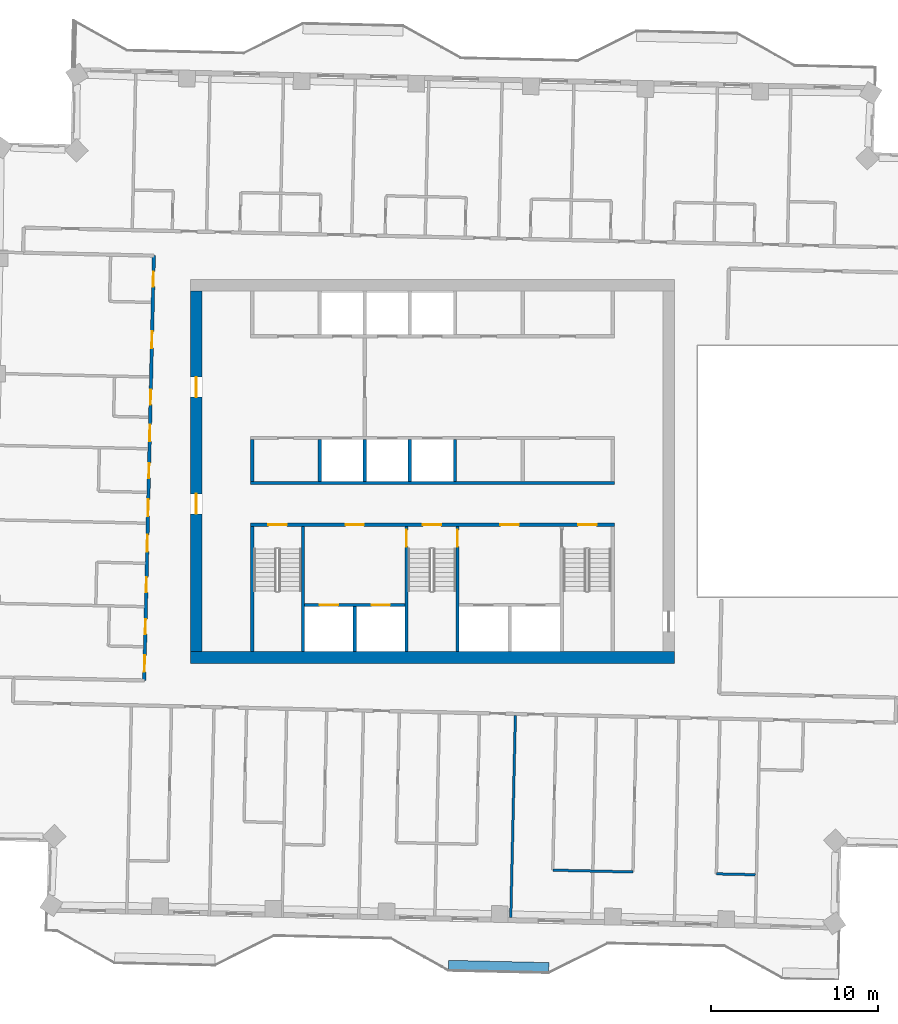
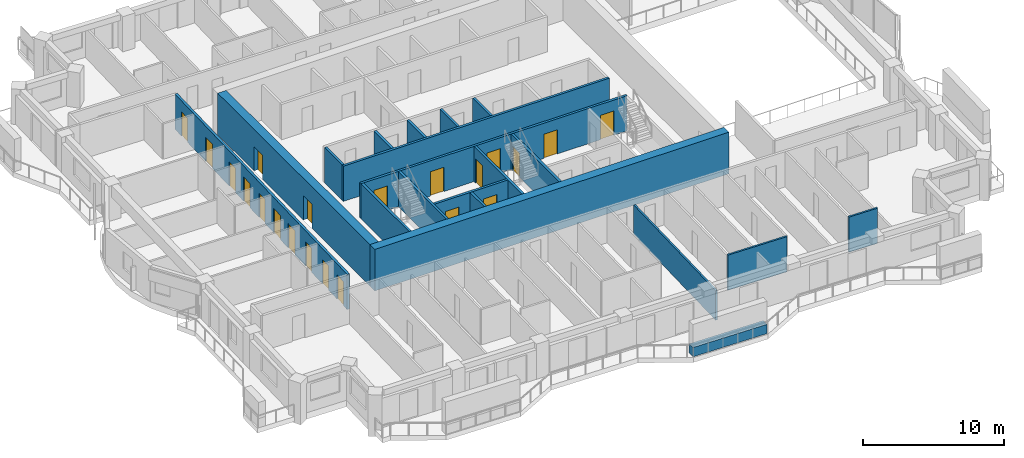
# One storey, part 8 of 17: 21 doors, 20 walls, 21 openings.
"""IFC4 building model written with IfcOpenShell, lengths in metres."""

from ifc_helpers import new_model, si_unit, direction, frame, frame_2d, origin, place, context, subcontext, project, spatial, rectangle, extrude, material, layer, layer_set, type_object, element, fill, save


model = new_model("IFC4")

# Units and contexts
model_context = context("Model", 3, precision=1e-05, world=origin(), true_north=direction((0.0, 1.0)))
body_context = subcontext(model_context, "Body", "Model", "MODEL_VIEW")
ifc_project = project(units=[si_unit("LENGTHUNIT", "METRE"), si_unit("AREAUNIT", "SQUARE_METRE"), si_unit("VOLUMEUNIT", "CUBIC_METRE"), si_unit("PLANEANGLEUNIT", "RADIAN"), si_unit("MASSUNIT", "GRAM", prefix="KILO")], contexts=[model_context])

# Site, building, storey
site_placement = place(None, origin())
site = spatial("IfcSite", under=ifc_project, at=site_placement, CompositionType="ELEMENT")
building_placement = place(site_placement, origin())
building = spatial("IfcBuilding", under=site, at=building_placement, Name="Mangrove Gate Tower", CompositionType="ELEMENT")
storey_placement = place(building_placement, frame((0.0, 0.0, 271.699951171875)))
storey = spatial("IfcBuildingStorey", under=building, at=storey_placement, Name="L69", CompositionType="ELEMENT", Elevation=271.699951171875)

# Walls
ifc_material_1 = material(Name="Concrete C32/40", Category="concrete")
ifc_layer_1 = layer(ifc_material_1, 0.199951171875)
ifc_layer_set_1 = layer_set([ifc_layer_1], Name="Core room wall 200 C32/40")
wall_type_1 = type_object("IfcWallType", Name="Core room wall 200 C32/40", PredefinedType="STANDARD", material=ifc_layer_set_1)
wall_1_placement = place(storey_placement, frame((-10.800048828125, -0.60009765625, 0.0), z_axis=(0.0, 0.0, 1.0), x_axis=(0.0, 1.0, 0.0)))
element("IfcWall", 1, at=wall_1_placement, inside=storey, type_object=wall_type_1, Name="WALL-L69-CORE-19", PredefinedType="STANDARD", context=body_context, shape_type="SweptSolid", body=[
    extrude(rectangle(XDim=2.5, YDim=0.199951171875, at=frame_2d((1.25, 0.0))), origin(), (0.0, 0.0, 1.0), 3.050048828125),
])
ifc_material_2 = material(Name="Concrete C50/60", Category="concrete")
ifc_layer_2 = layer(ifc_material_2, 0.199951171875)
ifc_layer_set_2 = layer_set([ifc_layer_2], Name="Core shaft wall 200 C50/60")
wall_type_2 = type_object("IfcWallType", Name="Core shaft wall 200 C50/60", PredefinedType="SHEAR", material=ifc_layer_set_2)
wall_2_placement = place(storey_placement, frame((-10.89990234375, -0.699951171875, 0.0), z_axis=(0.0, 0.0, 1.0), x_axis=(1.0, 0.0, 0.0)))
element("IfcWall", 2, at=wall_2_placement, inside=storey, type_object=wall_type_2, Name="WALL-L69-CORE-6", PredefinedType="SHEAR", context=body_context, shape_type="SweptSolid", body=[
    extrude(rectangle(XDim=21.7998046875, YDim=0.199951171875, at=frame_2d((10.89990234375, 0.0))), origin(), (0.0, 0.0, 1.0), 3.050048828125),
])

# Wall, openings, doors
wall_3_placement = place(storey_placement, frame((-7.64990234375, -8.0, 0.0), z_axis=(0.0, 0.0, 1.0), x_axis=(1.0, 0.0, 0.0)))
wall_3 = element("IfcWall", 3, at=wall_3_placement, inside=storey, type_object=wall_type_2, Name="WALL-L69-CORE-15", PredefinedType="SHEAR", context=body_context, shape_type="SweptSolid", body=[
    extrude(rectangle(XDim=6.0, YDim=0.199951171875, at=frame_2d((3.0, 0.0))), origin(), (0.0, 0.0, 1.0), 3.050048828125),
])
opening_1_placement = place(wall_3_placement, frame((0.89990234375, 0.0, 0.0)))
opening_1 = element("IfcOpeningElement", 4, at=opening_1_placement, cuts=wall_3, Name="Opening LD", PredefinedType="OPENING", context=body_context, shape_type="SweptSolid", body=[
    extrude(rectangle(XDim=1.10009765625, YDim=2.10009765625, at=frame_2d((0.550048828125, 1.050048828125))), frame((0.0, 0.10986328125, 0.0), z_axis=(0.0, -1.0, 0.0), x_axis=(1.0, 0.0, 0.0)), (0.0, 0.0, 1.0), 0.219970703125),
])
opening_2_placement = place(wall_3_placement, frame((4.0, 0.0, 0.0)))
opening_2 = element("IfcOpeningElement", 5, at=opening_2_placement, cuts=wall_3, Name="Opening LD", PredefinedType="OPENING", context=body_context, shape_type="SweptSolid", body=[
    extrude(rectangle(XDim=1.10009765625, YDim=2.10009765625, at=frame_2d((0.550048828125, 1.050048828125))), frame((0.0, 0.10986328125, 0.0), z_axis=(0.0, -1.0, 0.0), x_axis=(1.0, 0.0, 0.0)), (0.0, 0.0, 1.0), 0.219970703125),
])
ifc_material_3 = material(Name="Stainless steel 316", Category="steel")
door_type_1 = type_object("IfcDoorType", Name="Lift landing door 1100x2100", OperationType="SLIDING_TO_LEFT", PredefinedType="DOOR", material=ifc_material_3)
door_1_placement = place(opening_1_placement, origin())
door_1 = element("IfcDoor", 6, at=door_1_placement, inside=storey, type_object=door_type_1, Name="Landing door LD SVL1", OperationType="SLIDING_TO_LEFT", OverallHeight=2.10009765625, OverallWidth=1.10009765625, PredefinedType="DOOR", context=body_context, shape_type="SweptSolid", body=[
    extrude(rectangle(XDim=1.10009765625, YDim=2.10009765625, at=frame_2d((0.550048828125, 1.050048828125))), frame((0.0, 0.02490234375, 0.0), z_axis=(0.0, -1.0, 0.0), x_axis=(1.0, 0.0, 0.0)), (0.0, 0.0, 1.0), 0.050048828125),
])
fill(opening_1, door_1)
door_2_placement = place(opening_2_placement, origin())
door_2 = element("IfcDoor", 7, at=door_2_placement, inside=storey, type_object=door_type_1, Name="Landing door LD SVL2", OperationType="SLIDING_TO_LEFT", OverallHeight=2.10009765625, OverallWidth=1.10009765625, PredefinedType="DOOR", context=body_context, shape_type="SweptSolid", body=[
    extrude(rectangle(XDim=1.10009765625, YDim=2.10009765625, at=frame_2d((0.550048828125, 1.050048828125))), frame((0.0, 0.02490234375, 0.0), z_axis=(0.0, -1.0, 0.0), x_axis=(1.0, 0.0, 0.0)), (0.0, 0.0, 1.0), 0.050048828125),
])
fill(opening_2, door_2)

# Walls
wall_4_placement = place(storey_placement, frame((-4.64990234375, -10.800048828125, 0.0), z_axis=(0.0, 0.0, 1.0), x_axis=(0.0, 1.0, 0.0)))
element("IfcWall", 8, at=wall_4_placement, inside=storey, type_object=wall_type_2, Name="WALL-L69-CORE-16", PredefinedType="SHEAR", context=body_context, shape_type="SweptSolid", body=[
    extrude(rectangle(XDim=2.699951171875, YDim=0.199951171875, at=frame_2d((1.35009765625, 0.0))), origin(), (0.0, 0.0, 1.0), 3.050048828125),
])
for number, where, z_axis, x_axis, name in (
    (9, (-6.75, -0.60009765625, 0.0), (0.0, 0.0, 1.0), (0.0, 1.0, 0.0), "WALL-L69-CORE-20"),
    (10, (-4.050048828125, -0.60009765625, 0.0), (0.0, 0.0, 1.0), (0.0, 1.0, 0.0), "WALL-L69-CORE-21"),
    (11, (-1.35009765625, -0.60009765625, 0.0), (0.0, 0.0, 1.0), (0.0, 1.0, 0.0), "WALL-L69-CORE-22"),
    (12, (1.35009765625, -0.60009765625, 0.0), (0.0, 0.0, 1.0), (0.0, 1.0, 0.0), "WALL-L69-CORE-23"),
):
    element("IfcWall", number, at=place(storey_placement, frame(where, z_axis=z_axis, x_axis=x_axis)), inside=storey, type_object=wall_type_2, Name=name, PredefinedType="SHEAR", context=body_context, shape_type="SweptSolid", body=[
        extrude(rectangle(XDim=2.5, YDim=0.199951171875, at=frame_2d((1.25, 0.0))), origin(), (0.0, 0.0, 1.0), 3.050048828125),
    ])

# Wall, openings, doors
ifc_material_4 = material(Name="Concrete C50/60", Category="concrete")
ifc_layer_3 = layer(ifc_material_4, 0.199951171875)
ifc_layer_set_3 = layer_set([ifc_layer_3], Name="Core stair wall 200 C50/60")
wall_type_3 = type_object("IfcWallType", Name="Core stair wall 200 C50/60", PredefinedType="SHEAR", material=ifc_layer_set_3)
wall_5_placement = place(storey_placement, frame((-10.89990234375, -3.199951171875, 0.0), z_axis=(0.0, 0.0, 1.0), x_axis=(1.0, 0.0, 0.0)))
wall_5 = element("IfcWall", 13, at=wall_5_placement, inside=storey, type_object=wall_type_3, Name="WALL-L69-CORE-5", PredefinedType="SHEAR", context=body_context, shape_type="SweptSolid", body=[
    extrude(rectangle(XDim=21.7998046875, YDim=0.199951171875, at=frame_2d((10.89990234375, 0.0))), origin(), (0.0, 0.0, 1.0), 3.050048828125),
])
opening_3_placement = place(wall_5_placement, frame((1.074951171875, 0.0, 0.0)))
opening_3 = element("IfcOpeningElement", 14, at=opening_3_placement, cuts=wall_5, Name="Opening STD11", PredefinedType="OPENING", context=body_context, shape_type="SweptSolid", body=[
    extrude(rectangle(XDim=1.10009765625, YDim=2.10009765625, at=frame_2d((0.550048828125, 1.050048828125))), frame((0.0, 0.10986328125, 0.0), z_axis=(0.0, -1.0, 0.0), x_axis=(1.0, 0.0, 0.0)), (0.0, 0.0, 1.0), 0.219970703125),
])
opening_4_placement = place(wall_5_placement, frame((10.324951171875, 0.0, 0.0)))
opening_4 = element("IfcOpeningElement", 15, at=opening_4_placement, cuts=wall_5, Name="Opening STD11", PredefinedType="OPENING", context=body_context, shape_type="SweptSolid", body=[
    extrude(rectangle(XDim=1.10009765625, YDim=2.10009765625, at=frame_2d((0.550048828125, 1.050048828125))), frame((0.0, 0.10986328125, 0.0), z_axis=(0.0, -1.0, 0.0), x_axis=(1.0, 0.0, 0.0)), (0.0, 0.0, 1.0), 0.219970703125),
])
opening_5_placement = place(wall_5_placement, frame((19.625, 0.0, 0.0)))
opening_5 = element("IfcOpeningElement", 16, at=opening_5_placement, cuts=wall_5, Name="Opening STD11", PredefinedType="OPENING", context=body_context, shape_type="SweptSolid", body=[
    extrude(rectangle(XDim=1.10009765625, YDim=2.10009765625, at=frame_2d((0.550048828125, 1.050048828125))), frame((0.0, 0.10986328125, 0.0), z_axis=(0.0, -1.0, 0.0), x_axis=(1.0, 0.0, 0.0)), (0.0, 0.0, 1.0), 0.219970703125),
])
opening_6_placement = place(wall_5_placement, frame((5.699951171875, 0.0, 0.0)))
opening_6 = element("IfcOpeningElement", 17, at=opening_6_placement, cuts=wall_5, Name="Opening FL", PredefinedType="OPENING", context=body_context, shape_type="SweptSolid", body=[
    extrude(rectangle(XDim=1.10009765625, YDim=2.10009765625, at=frame_2d((0.550048828125, 1.050048828125))), frame((0.0, 0.10986328125, 0.0), z_axis=(0.0, -1.0, 0.0), x_axis=(1.0, 0.0, 0.0)), (0.0, 0.0, 1.0), 0.219970703125),
])
opening_7_placement = place(wall_5_placement, frame((14.97509765625, 0.0, 0.0)))
opening_7 = element("IfcOpeningElement", 18, at=opening_7_placement, cuts=wall_5, Name="Opening FL", PredefinedType="OPENING", context=body_context, shape_type="SweptSolid", body=[
    extrude(rectangle(XDim=1.10009765625, YDim=2.10009765625, at=frame_2d((0.550048828125, 1.050048828125))), frame((0.0, 0.10986328125, 0.0), z_axis=(0.0, -1.0, 0.0), x_axis=(1.0, 0.0, 0.0)), (0.0, 0.0, 1.0), 0.219970703125),
])
ifc_material_5 = material(Name="Fire-rated steel door set", Category="steel")
door_type_2 = type_object("IfcDoorType", Name="Lobby door FD60 1100x2100", OperationType="SINGLE_SWING_LEFT", PredefinedType="DOOR", material=ifc_material_5)
door_3_placement = place(opening_6_placement, origin())
door_3 = element("IfcDoor", 19, at=door_3_placement, inside=storey, type_object=door_type_2, Name="Lobby door service lobby", OperationType="SINGLE_SWING_LEFT", OverallHeight=2.10009765625, OverallWidth=1.10009765625, PredefinedType="DOOR", context=body_context, shape_type="SweptSolid", body=[
    extrude(rectangle(XDim=1.10009765625, YDim=2.10009765625, at=frame_2d((0.550048828125, 1.050048828125))), frame((0.0, 0.02490234375, 0.0), z_axis=(0.0, -1.0, 0.0), x_axis=(1.0, 0.0, 0.0)), (0.0, 0.0, 1.0), 0.050048828125),
])
fill(opening_6, door_3)
door_4_placement = place(opening_7_placement, origin())
door_4 = element("IfcDoor", 20, at=door_4_placement, inside=storey, type_object=door_type_2, Name="Lobby door fire-fighting lobby", OperationType="SINGLE_SWING_LEFT", OverallHeight=2.10009765625, OverallWidth=1.10009765625, PredefinedType="DOOR", context=body_context, shape_type="SweptSolid", body=[
    extrude(rectangle(XDim=1.10009765625, YDim=2.10009765625, at=frame_2d((0.550048828125, 1.050048828125))), frame((0.0, 0.02490234375, 0.0), z_axis=(0.0, -1.0, 0.0), x_axis=(1.0, 0.0, 0.0)), (0.0, 0.0, 1.0), 0.050048828125),
])
fill(opening_7, door_4)
ifc_material_6 = material(Name="Fire-rated steel door set", Category="steel")
door_type_3 = type_object("IfcDoorType", Name="Stair door FD60 1100x2100", OperationType="SINGLE_SWING_RIGHT", PredefinedType="DOOR", material=ifc_material_6)
door_5_placement = place(opening_3_placement, origin())
door_5 = element("IfcDoor", 21, at=door_5_placement, inside=storey, type_object=door_type_3, Name="Stair door Stair 1", OperationType="SINGLE_SWING_RIGHT", OverallHeight=2.10009765625, OverallWidth=1.10009765625, PredefinedType="DOOR", context=body_context, shape_type="SweptSolid", body=[
    extrude(rectangle(XDim=1.10009765625, YDim=2.10009765625, at=frame_2d((0.550048828125, 1.050048828125))), frame((0.0, 0.02490234375, 0.0), z_axis=(0.0, -1.0, 0.0), x_axis=(1.0, 0.0, 0.0)), (0.0, 0.0, 1.0), 0.050048828125),
])
fill(opening_3, door_5)
door_6_placement = place(opening_4_placement, origin())
door_6 = element("IfcDoor", 22, at=door_6_placement, inside=storey, type_object=door_type_3, Name="Stair door Stair 2", OperationType="SINGLE_SWING_RIGHT", OverallHeight=2.10009765625, OverallWidth=1.10009765625, PredefinedType="DOOR", context=body_context, shape_type="SweptSolid", body=[
    extrude(rectangle(XDim=1.10009765625, YDim=2.10009765625, at=frame_2d((0.550048828125, 1.050048828125))), frame((0.0, 0.02490234375, 0.0), z_axis=(0.0, -1.0, 0.0), x_axis=(1.0, 0.0, 0.0)), (0.0, 0.0, 1.0), 0.050048828125),
])
fill(opening_4, door_6)
door_7_placement = place(opening_5_placement, origin())
door_7 = element("IfcDoor", 23, at=door_7_placement, inside=storey, type_object=door_type_3, Name="Stair door Stair 3", OperationType="SINGLE_SWING_RIGHT", OverallHeight=2.10009765625, OverallWidth=1.10009765625, PredefinedType="DOOR", context=body_context, shape_type="SweptSolid", body=[
    extrude(rectangle(XDim=1.10009765625, YDim=2.10009765625, at=frame_2d((0.550048828125, 1.050048828125))), frame((0.0, 0.02490234375, 0.0), z_axis=(0.0, -1.0, 0.0), x_axis=(1.0, 0.0, 0.0)), (0.0, 0.0, 1.0), 0.050048828125),
])
fill(opening_5, door_7)

# Walls
for number, where, z_axis, x_axis, name in (
    (24, (-10.800048828125, -10.800048828125, 0.0), (0.0, 0.0, 1.0), (0.0, 1.0, 0.0), "WALL-L69-CORE-9"),
    (25, (-7.75, -10.800048828125, 0.0), (0.0, 0.0, 1.0), (0.0, 1.0, 0.0), "WALL-L69-CORE-10"),
):
    element("IfcWall", number, at=place(storey_placement, frame(where, z_axis=z_axis, x_axis=x_axis)), inside=storey, type_object=wall_type_3, Name=name, PredefinedType="SHEAR", context=body_context, shape_type="SweptSolid", body=[
        extrude(rectangle(XDim=7.5, YDim=0.199951171875, at=frame_2d((3.75, 0.0))), origin(), (0.0, 0.0, 1.0), 3.050048828125),
    ])

# Wall, opening, door
wall_6_placement = place(storey_placement, frame((-1.550048828125, -10.800048828125, 0.0), z_axis=(0.0, 0.0, 1.0), x_axis=(0.0, 1.0, 0.0)))
wall_6 = element("IfcWall", 26, at=wall_6_placement, inside=storey, type_object=wall_type_3, Name="WALL-L69-CORE-11", PredefinedType="SHEAR", context=body_context, shape_type="SweptSolid", body=[
    extrude(rectangle(XDim=7.5, YDim=0.199951171875, at=frame_2d((3.75, 0.0))), origin(), (0.0, 0.0, 1.0), 3.050048828125),
])
opening_8_placement = place(wall_6_placement, frame((6.300048828125, 0.0, 0.0)))
opening_8 = element("IfcOpeningElement", 27, at=opening_8_placement, cuts=wall_6, Name="Opening STD10", PredefinedType="OPENING", context=body_context, shape_type="SweptSolid", body=[
    extrude(rectangle(XDim=1.0, YDim=2.10009765625, at=frame_2d((0.5, 1.050048828125))), frame((0.0, 0.10986328125, 0.0), z_axis=(0.0, -1.0, 0.0), x_axis=(1.0, 0.0, 0.0)), (0.0, 0.0, 1.0), 0.219970703125),
])
ifc_material_7 = material(Name="Fire-rated steel door set", Category="steel")
door_type_4 = type_object("IfcDoorType", Name="Stair door FD60 1000x2100", OperationType="SINGLE_SWING_RIGHT", PredefinedType="DOOR", material=ifc_material_7)
door_8_placement = place(opening_8_placement, origin())
door_8 = element("IfcDoor", 28, at=door_8_placement, inside=storey, type_object=door_type_4, Name="Stair door Stair 2 from service lobby", OperationType="SINGLE_SWING_RIGHT", OverallHeight=2.10009765625, OverallWidth=1.0, PredefinedType="DOOR", context=body_context, shape_type="SweptSolid", body=[
    extrude(rectangle(XDim=1.0, YDim=2.10009765625, at=frame_2d((0.5, 1.050048828125))), frame((0.0, 0.02490234375, 0.0), z_axis=(0.0, -1.0, 0.0), x_axis=(1.0, 0.0, 0.0)), (0.0, 0.0, 1.0), 0.050048828125),
])
fill(opening_8, door_8)

wall_7_placement = place(storey_placement, frame((1.5, -10.800048828125, 0.0), z_axis=(0.0, 0.0, 1.0), x_axis=(0.0, 1.0, 0.0)))
wall_7 = element("IfcWall", 29, at=wall_7_placement, inside=storey, type_object=wall_type_3, Name="WALL-L69-CORE-12", PredefinedType="SHEAR", context=body_context, shape_type="SweptSolid", body=[
    extrude(rectangle(XDim=7.5, YDim=0.199951171875, at=frame_2d((3.75, 0.0))), origin(), (0.0, 0.0, 1.0), 3.050048828125),
])
opening_9_placement = place(wall_7_placement, frame((6.300048828125, 0.0, 0.0)))
opening_9 = element("IfcOpeningElement", 30, at=opening_9_placement, cuts=wall_7, Name="Opening STD10", PredefinedType="OPENING", context=body_context, shape_type="SweptSolid", body=[
    extrude(rectangle(XDim=1.0, YDim=2.10009765625, at=frame_2d((0.5, 1.050048828125))), frame((0.0, 0.10986328125, 0.0), z_axis=(0.0, -1.0, 0.0), x_axis=(1.0, 0.0, 0.0)), (0.0, 0.0, 1.0), 0.219970703125),
])
door_9_placement = place(opening_9_placement, origin())
door_9 = element("IfcDoor", 31, at=door_9_placement, inside=storey, type_object=door_type_4, Name="Stair door Stair 2 from fire-fighting lobby", OperationType="SINGLE_SWING_RIGHT", OverallHeight=2.10009765625, OverallWidth=1.0, PredefinedType="DOOR", context=body_context, shape_type="SweptSolid", body=[
    extrude(rectangle(XDim=1.0, YDim=2.10009765625, at=frame_2d((0.5, 1.050048828125))), frame((0.0, 0.02490234375, 0.0), z_axis=(0.0, -1.0, 0.0), x_axis=(1.0, 0.0, 0.0)), (0.0, 0.0, 1.0), 0.050048828125),
])
fill(opening_9, door_9)

# Wall
ifc_material_8 = material(Name="Concrete C50/60", Category="concrete")
ifc_layer_4 = layer(ifc_material_8, 0.699951171875)
ifc_layer_set_4 = layer_set([ifc_layer_4], Name="Core wall 700 C50/60")
wall_type_4 = type_object("IfcWallType", Name="Core wall 700 C50/60", PredefinedType="SHEAR", material=ifc_layer_set_4)
wall_8_placement = place(storey_placement, frame((-14.5, -11.14990234375, 0.0), z_axis=(0.0, 0.0, 1.0), x_axis=(1.0, 0.0, 0.0)))
element("IfcWall", 32, at=wall_8_placement, inside=storey, type_object=wall_type_4, Name="WALL-L69-CORE-1", PredefinedType="SHEAR", context=body_context, shape_type="SweptSolid", body=[
    extrude(rectangle(XDim=29.0, YDim=0.699951171875, at=frame_2d((14.5, 0.0))), origin(), (0.0, 0.0, 1.0), 3.60009765625),
])

# Wall, openings, doors
wall_9_placement = place(storey_placement, frame((-14.14990234375, -10.800048828125, 0.0), z_axis=(0.0, 0.0, 1.0), x_axis=(0.0, 1.0, 0.0)))
wall_9 = element("IfcWall", 33, at=wall_9_placement, inside=storey, type_object=wall_type_4, Name="WALL-L69-CORE-3", PredefinedType="SHEAR", context=body_context, shape_type="SweptSolid", body=[
    extrude(rectangle(XDim=21.60009765625, YDim=0.699951171875, at=frame_2d((10.800048828125, 0.0))), origin(), (0.0, 0.0, 1.0), 3.60009765625),
])
opening_10_placement = place(wall_9_placement, frame((8.25, 0.0, 0.0)))
opening_10 = element("IfcOpeningElement", 34, at=opening_10_placement, cuts=wall_9, Name="Opening CD", PredefinedType="OPENING", context=body_context, shape_type="SweptSolid", body=[
    extrude(rectangle(XDim=1.199951171875, YDim=2.10009765625, at=frame_2d((0.60009765625, 1.050048828125))), frame((0.0, 0.35986328125, 0.0), z_axis=(0.0, -1.0, 0.0), x_axis=(1.0, 0.0, 0.0)), (0.0, 0.0, 1.0), 0.719970703125),
])
opening_11_placement = place(wall_9_placement, frame((15.25, 0.0, 0.0)))
opening_11 = element("IfcOpeningElement", 35, at=opening_11_placement, cuts=wall_9, Name="Opening CD", PredefinedType="OPENING", context=body_context, shape_type="SweptSolid", body=[
    extrude(rectangle(XDim=1.199951171875, YDim=2.10009765625, at=frame_2d((0.60009765625, 1.050048828125))), frame((0.0, 0.35986328125, 0.0), z_axis=(0.0, -1.0, 0.0), x_axis=(1.0, 0.0, 0.0)), (0.0, 0.0, 1.0), 0.719970703125),
])
ifc_material_9 = material(Name="Fire-rated steel door set", Category="steel")
door_type_5 = type_object("IfcDoorType", Name="Core ring door FD60 1200x2100", OperationType="DOUBLE_DOOR_SINGLE_SWING", PredefinedType="DOOR", material=ifc_material_9)
door_10_placement = place(opening_10_placement, origin())
door_10 = element("IfcDoor", 36, at=door_10_placement, inside=storey, type_object=door_type_5, Name="Core ring door W1", OperationType="DOUBLE_DOOR_SINGLE_SWING", OverallHeight=2.10009765625, OverallWidth=1.199951171875, PredefinedType="DOOR", context=body_context, shape_type="SweptSolid", body=[
    extrude(rectangle(XDim=1.199951171875, YDim=2.10009765625, at=frame_2d((0.60009765625, 1.050048828125))), frame((0.0, 0.02490234375, 0.0), z_axis=(0.0, -1.0, 0.0), x_axis=(1.0, 0.0, 0.0)), (0.0, 0.0, 1.0), 0.050048828125),
])
fill(opening_10, door_10)
door_11_placement = place(opening_11_placement, origin())
door_11 = element("IfcDoor", 37, at=door_11_placement, inside=storey, type_object=door_type_5, Name="Core ring door W2", OperationType="DOUBLE_DOOR_SINGLE_SWING", OverallHeight=2.10009765625, OverallWidth=1.199951171875, PredefinedType="DOOR", context=body_context, shape_type="SweptSolid", body=[
    extrude(rectangle(XDim=1.199951171875, YDim=2.10009765625, at=frame_2d((0.60009765625, 1.050048828125))), frame((0.0, 0.02490234375, 0.0), z_axis=(0.0, -1.0, 0.0), x_axis=(1.0, 0.0, 0.0)), (0.0, 0.0, 1.0), 0.050048828125),
])
fill(opening_11, door_11)

ifc_material_10 = material(Name="Gypsum board on steel stud, EI 60", Category="steel")
ifc_layer_5 = layer(ifc_material_10, 0.199951171875)
ifc_layer_set_5 = layer_set([ifc_layer_5], Name="Corridor wall EI 60")
wall_type_5 = type_object("IfcWallType", Name="Corridor wall EI 60", PredefinedType="PARTITIONING", material=ifc_layer_set_5)
wall_10_placement = place(storey_placement, frame((-17.261962890625, -12.52490234375, 0.0), z_axis=(0.0, 0.0, 1.0), x_axis=(0.022706151961, 0.999742182097, 0.0)))
wall_10 = element("IfcWall", 38, at=wall_10_placement, inside=storey, type_object=wall_type_5, Name="WALL-L69-031", PredefinedType="PARTITIONING", context=body_context, shape_type="SweptSolid", body=[
    extrude(rectangle(XDim=25.450439453125, YDim=0.199951171875, at=frame_2d((12.72509765625, 0.0))), origin(), (0.0, 0.0, 1.0), 3.050048828125),
])
opening_12_placement = place(wall_10_placement, frame((19.9130859375, 0.0, 0.0)))
opening_12 = element("IfcOpeningElement", 39, at=opening_12_placement, cuts=wall_10, Name="Opening AD", PredefinedType="OPENING", context=body_context, shape_type="SweptSolid", body=[
    extrude(rectangle(XDim=1.0, YDim=2.10009765625, at=frame_2d((0.5, 1.050048828125))), frame((0.0, 0.10986328125, 0.0), z_axis=(0.0, -1.0, 0.0), x_axis=(1.0, 0.0, 0.0)), (0.0, 0.0, 1.0), 0.219970703125),
])
opening_13_placement = place(wall_10_placement, frame((23.60009765625, 0.0, 0.0)))
opening_13 = element("IfcOpeningElement", 40, at=opening_13_placement, cuts=wall_10, Name="Opening SD", PredefinedType="OPENING", context=body_context, shape_type="SweptSolid", body=[
    extrude(rectangle(XDim=0.89990234375, YDim=2.10009765625, at=frame_2d((0.449951171875, 1.050048828125))), frame((0.0, 0.10986328125, 0.0), z_axis=(0.0, -1.0, 0.0), x_axis=(1.0, 0.0, 0.0)), (0.0, 0.0, 1.0), 0.219970703125),
])
opening_14_placement = place(wall_10_placement, frame((14.324951171875, 0.0, 0.0)))
opening_14 = element("IfcOpeningElement", 41, at=opening_14_placement, cuts=wall_10, Name="Opening AD", PredefinedType="OPENING", context=body_context, shape_type="SweptSolid", body=[
    extrude(rectangle(XDim=1.0, YDim=2.10009765625, at=frame_2d((0.5, 1.050048828125))), frame((0.0, 0.10986328125, 0.0), z_axis=(0.0, -1.0, 0.0), x_axis=(1.0, 0.0, 0.0)), (0.0, 0.0, 1.0), 0.219970703125),
])
opening_15_placement = place(wall_10_placement, frame((16.52490234375, 0.0, 0.0)))
opening_15 = element("IfcOpeningElement", 42, at=opening_15_placement, cuts=wall_10, Name="Opening SD", PredefinedType="OPENING", context=body_context, shape_type="SweptSolid", body=[
    extrude(rectangle(XDim=0.89990234375, YDim=2.10009765625, at=frame_2d((0.449951171875, 1.050048828125))), frame((0.0, 0.10986328125, 0.0), z_axis=(0.0, -1.0, 0.0), x_axis=(1.0, 0.0, 0.0)), (0.0, 0.0, 1.0), 0.219970703125),
])
opening_16_placement = place(wall_10_placement, frame((9.85009765625, 0.0, 0.0)))
opening_16 = element("IfcOpeningElement", 43, at=opening_16_placement, cuts=wall_10, Name="Opening AD", PredefinedType="OPENING", context=body_context, shape_type="SweptSolid", body=[
    extrude(rectangle(XDim=1.0, YDim=2.10009765625, at=frame_2d((0.5, 1.050048828125))), frame((0.0, 0.10986328125, 0.0), z_axis=(0.0, -1.0, 0.0), x_axis=(1.0, 0.0, 0.0)), (0.0, 0.0, 1.0), 0.219970703125),
])
opening_17_placement = place(wall_10_placement, frame((12.125, 0.0, 0.0)))
opening_17 = element("IfcOpeningElement", 44, at=opening_17_placement, cuts=wall_10, Name="Opening SD", PredefinedType="OPENING", context=body_context, shape_type="SweptSolid", body=[
    extrude(rectangle(XDim=0.89990234375, YDim=2.10009765625, at=frame_2d((0.449951171875, 1.050048828125))), frame((0.0, 0.10986328125, 0.0), z_axis=(0.0, -1.0, 0.0), x_axis=(1.0, 0.0, 0.0)), (0.0, 0.0, 1.0), 0.219970703125),
])
opening_18_placement = place(wall_10_placement, frame((7.72509765625, 0.0, 0.0)))
opening_18 = element("IfcOpeningElement", 45, at=opening_18_placement, cuts=wall_10, Name="Opening AD", PredefinedType="OPENING", context=body_context, shape_type="SweptSolid", body=[
    extrude(rectangle(XDim=1.0, YDim=2.10009765625, at=frame_2d((0.5, 1.050048828125))), frame((0.0, 0.10986328125, 0.0), z_axis=(0.0, -1.0, 0.0), x_axis=(1.0, 0.0, 0.0)), (0.0, 0.0, 1.0), 0.219970703125),
])
opening_19_placement = place(wall_10_placement, frame((5.27490234375, 0.0, 0.0)))
opening_19 = element("IfcOpeningElement", 46, at=opening_19_placement, cuts=wall_10, Name="Opening SD", PredefinedType="OPENING", context=body_context, shape_type="SweptSolid", body=[
    extrude(rectangle(XDim=0.89990234375, YDim=2.10009765625, at=frame_2d((0.449951171875, 1.050048828125))), frame((0.0, 0.10986328125, 0.0), z_axis=(0.0, -1.0, 0.0), x_axis=(1.0, 0.0, 0.0)), (0.0, 0.0, 1.0), 0.219970703125),
])
opening_20_placement = place(wall_10_placement, frame((0.511962890625, 0.0, 0.0)))
opening_20 = element("IfcOpeningElement", 47, at=opening_20_placement, cuts=wall_10, Name="Opening AD", PredefinedType="OPENING", context=body_context, shape_type="SweptSolid", body=[
    extrude(rectangle(XDim=1.0, YDim=2.10009765625, at=frame_2d((0.5, 1.050048828125))), frame((0.0, 0.10986328125, 0.0), z_axis=(0.0, -1.0, 0.0), x_axis=(1.0, 0.0, 0.0)), (0.0, 0.0, 1.0), 0.219970703125),
])
opening_21_placement = place(wall_10_placement, frame((2.77490234375, 0.0, 0.0)))
opening_21 = element("IfcOpeningElement", 48, at=opening_21_placement, cuts=wall_10, Name="Opening SD", PredefinedType="OPENING", context=body_context, shape_type="SweptSolid", body=[
    extrude(rectangle(XDim=0.89990234375, YDim=2.10009765625, at=frame_2d((0.449951171875, 1.050048828125))), frame((0.0, 0.10986328125, 0.0), z_axis=(0.0, -1.0, 0.0), x_axis=(1.0, 0.0, 0.0)), (0.0, 0.0, 1.0), 0.219970703125),
])
ifc_material_11 = material(Name="Timber door leaf", Category="wood")
door_type_6 = type_object("IfcDoorType", Name="Amenity door 1000", OperationType="SINGLE_SWING_LEFT", PredefinedType="DOOR", material=ifc_material_11)
door_12_placement = place(opening_12_placement, origin())
door_12 = element("IfcDoor", 49, at=door_12_placement, inside=storey, type_object=door_type_6, Name="DOOR-L69-LNG-c5a", OperationType="SINGLE_SWING_LEFT", OverallHeight=2.10009765625, OverallWidth=1.0, PredefinedType="DOOR", context=body_context, shape_type="SweptSolid", body=[
    extrude(rectangle(XDim=1.0, YDim=2.10009765625, at=frame_2d((0.5, 1.050048828125))), frame((0.0, 0.02490234375, 0.0), z_axis=(0.0, -1.0, 0.0), x_axis=(1.0, 0.0, 0.0)), (0.0, 0.0, 1.0), 0.050048828125),
])
fill(opening_12, door_12)
door_13_placement = place(opening_14_placement, origin())
door_13 = element("IfcDoor", 50, at=door_13_placement, inside=storey, type_object=door_type_6, Name="DOOR-L69-KIT-c5b", OperationType="SINGLE_SWING_RIGHT", OverallHeight=2.10009765625, OverallWidth=1.0, PredefinedType="DOOR", context=body_context, shape_type="SweptSolid", body=[
    extrude(rectangle(XDim=1.0, YDim=2.10009765625, at=frame_2d((0.5, 1.050048828125))), frame((0.0, 0.02490234375, 0.0), z_axis=(0.0, -1.0, 0.0), x_axis=(1.0, 0.0, 0.0)), (0.0, 0.0, 1.0), 0.050048828125),
])
fill(opening_14, door_13)
door_14_placement = place(opening_16_placement, origin())
door_14 = element("IfcDoor", 51, at=door_14_placement, inside=storey, type_object=door_type_6, Name="DOOR-L69-STU-c5a", OperationType="SINGLE_SWING_LEFT", OverallHeight=2.10009765625, OverallWidth=1.0, PredefinedType="DOOR", context=body_context, shape_type="SweptSolid", body=[
    extrude(rectangle(XDim=1.0, YDim=2.10009765625, at=frame_2d((0.5, 1.050048828125))), frame((0.0, 0.02490234375, 0.0), z_axis=(0.0, -1.0, 0.0), x_axis=(1.0, 0.0, 0.0)), (0.0, 0.0, 1.0), 0.050048828125),
])
fill(opening_16, door_14)
door_15_placement = place(opening_18_placement, origin())
door_15 = element("IfcDoor", 52, at=door_15_placement, inside=storey, type_object=door_type_6, Name="DOOR-L69-GAM-c5a", OperationType="SINGLE_SWING_RIGHT", OverallHeight=2.10009765625, OverallWidth=1.0, PredefinedType="DOOR", context=body_context, shape_type="SweptSolid", body=[
    extrude(rectangle(XDim=1.0, YDim=2.10009765625, at=frame_2d((0.5, 1.050048828125))), frame((0.0, 0.02490234375, 0.0), z_axis=(0.0, -1.0, 0.0), x_axis=(1.0, 0.0, 0.0)), (0.0, 0.0, 1.0), 0.050048828125),
])
fill(opening_18, door_15)
door_16_placement = place(opening_20_placement, origin())
door_16 = element("IfcDoor", 53, at=door_16_placement, inside=storey, type_object=door_type_6, Name="DOOR-L69-LNG-c5b", OperationType="SINGLE_SWING_LEFT", OverallHeight=2.10009765625, OverallWidth=1.0, PredefinedType="DOOR", context=body_context, shape_type="SweptSolid", body=[
    extrude(rectangle(XDim=1.0, YDim=2.10009765625, at=frame_2d((0.5, 1.050048828125))), frame((0.0, 0.02490234375, 0.0), z_axis=(0.0, -1.0, 0.0), x_axis=(1.0, 0.0, 0.0)), (0.0, 0.0, 1.0), 0.050048828125),
])
fill(opening_20, door_16)
ifc_material_12 = material(Name="Timber door leaf", Category="wood")
door_type_7 = type_object("IfcDoorType", Name="Service room door 900", OperationType="SINGLE_SWING_LEFT", PredefinedType="DOOR", material=ifc_material_12)
door_17_placement = place(opening_13_placement, origin())
door_17 = element("IfcDoor", 54, at=door_17_placement, inside=storey, type_object=door_type_7, Name="DOOR-L69-LDY-c5a", OperationType="SINGLE_SWING_LEFT", OverallHeight=2.10009765625, OverallWidth=0.89990234375, PredefinedType="DOOR", context=body_context, shape_type="SweptSolid", body=[
    extrude(rectangle(XDim=0.89990234375, YDim=2.10009765625, at=frame_2d((0.449951171875, 1.050048828125))), frame((0.0, 0.02490234375, 0.0), z_axis=(0.0, -1.0, 0.0), x_axis=(1.0, 0.0, 0.0)), (0.0, 0.0, 1.0), 0.050048828125),
])
fill(opening_13, door_17)
door_18_placement = place(opening_15_placement, origin())
door_18 = element("IfcDoor", 55, at=door_18_placement, inside=storey, type_object=door_type_7, Name="DOOR-L69-LIN-c5a", OperationType="SINGLE_SWING_RIGHT", OverallHeight=2.10009765625, OverallWidth=0.89990234375, PredefinedType="DOOR", context=body_context, shape_type="SweptSolid", body=[
    extrude(rectangle(XDim=0.89990234375, YDim=2.10009765625, at=frame_2d((0.449951171875, 1.050048828125))), frame((0.0, 0.02490234375, 0.0), z_axis=(0.0, -1.0, 0.0), x_axis=(1.0, 0.0, 0.0)), (0.0, 0.0, 1.0), 0.050048828125),
])
fill(opening_15, door_18)
door_19_placement = place(opening_17_placement, origin())
door_19 = element("IfcDoor", 56, at=door_19_placement, inside=storey, type_object=door_type_7, Name="DOOR-L69-AWC-c5a", OperationType="SINGLE_SWING_LEFT", OverallHeight=2.10009765625, OverallWidth=0.89990234375, PredefinedType="DOOR", context=body_context, shape_type="SweptSolid", body=[
    extrude(rectangle(XDim=0.89990234375, YDim=2.10009765625, at=frame_2d((0.449951171875, 1.050048828125))), frame((0.0, 0.02490234375, 0.0), z_axis=(0.0, -1.0, 0.0), x_axis=(1.0, 0.0, 0.0)), (0.0, 0.0, 1.0), 0.050048828125),
])
fill(opening_17, door_19)
door_20_placement = place(opening_19_placement, origin())
door_20 = element("IfcDoor", 57, at=door_20_placement, inside=storey, type_object=door_type_7, Name="DOOR-L69-AWC-c5b", OperationType="SINGLE_SWING_RIGHT", OverallHeight=2.10009765625, OverallWidth=0.89990234375, PredefinedType="DOOR", context=body_context, shape_type="SweptSolid", body=[
    extrude(rectangle(XDim=0.89990234375, YDim=2.10009765625, at=frame_2d((0.449951171875, 1.050048828125))), frame((0.0, 0.02490234375, 0.0), z_axis=(0.0, -1.0, 0.0), x_axis=(1.0, 0.0, 0.0)), (0.0, 0.0, 1.0), 0.050048828125),
])
fill(opening_19, door_20)
door_21_placement = place(opening_21_placement, origin())
door_21 = element("IfcDoor", 58, at=door_21_placement, inside=storey, type_object=door_type_7, Name="DOOR-L69-LIN-c5b", OperationType="SINGLE_SWING_LEFT", OverallHeight=2.10009765625, OverallWidth=0.89990234375, PredefinedType="DOOR", context=body_context, shape_type="SweptSolid", body=[
    extrude(rectangle(XDim=0.89990234375, YDim=2.10009765625, at=frame_2d((0.449951171875, 1.050048828125))), frame((0.0, 0.02490234375, 0.0), z_axis=(0.0, -1.0, 0.0), x_axis=(1.0, 0.0, 0.0)), (0.0, 0.0, 1.0), 0.050048828125),
])
fill(opening_21, door_21)

# Walls
ifc_material_13 = material(Name="Gypsum board on steel stud, EI 60", Category="steel")
ifc_layer_6 = layer(ifc_material_13, 0.14990234375)
ifc_layer_set_6 = layer_set([ifc_layer_6], Name="Party wall 150 EI 60")
wall_type_6 = type_object("IfcWallType", Name="Party wall 150 EI 60", PredefinedType="PARTITIONING", material=ifc_layer_set_6)
wall_11_placement = place(storey_placement, frame((4.69189453125, -26.72705078125, 0.0), z_axis=(0.0, 0.0, 1.0), x_axis=(0.022658157282, 0.999743270999, 0.0)))
element("IfcWall", 59, at=wall_11_placement, inside=storey, type_object=wall_type_6, Name="WALL-L69-006", PredefinedType="PARTITIONING", context=body_context, shape_type="SweptSolid", body=[
    extrude(rectangle(XDim=12.100341796875, YDim=0.14990234375, at=frame_2d((6.05029296875, 0.0))), origin(), (0.0, 0.0, 1.0), 2.550048828125),
])
wall_12_placement = place(storey_placement, frame((7.2109375, -23.883056640625, 0.0), z_axis=(0.0, 0.0, 1.0), x_axis=(0.999742701292, -0.022683280499, 0.0)))
element("IfcWall", 60, at=wall_12_placement, inside=storey, type_object=wall_type_6, Name="WALL-L69-013", PredefinedType="PARTITIONING", context=body_context, shape_type="SweptSolid", body=[
    extrude(rectangle(XDim=4.80029296875, YDim=0.14990234375, at=frame_2d((2.400146484375, 0.0))), origin(), (0.0, 0.0, 1.0), 3.050048828125),
])
wall_13_placement = place(storey_placement, frame((17.009033203125, -24.10498046875, 0.0), z_axis=(0.0, 0.0, 1.0), x_axis=(0.999740260747, -0.02279059109, 0.0)))
element("IfcWall", 61, at=wall_13_placement, inside=storey, type_object=wall_type_6, Name="WALL-L69-016", PredefinedType="PARTITIONING", context=body_context, shape_type="SweptSolid", body=[
    extrude(rectangle(XDim=2.324462890625, YDim=0.14990234375, at=frame_2d((1.162109375, 0.0))), origin(), (0.0, 0.0, 1.0), 3.050048828125),
])
ifc_material_14 = material(Name="Concrete C32/40", Category="concrete")
ifc_layer_7 = layer(ifc_material_14, 0.199951171875, Name="Planter trough wall")
ifc_material_15 = material(Name="Bituminous waterproofing membrane")
ifc_layer_8 = layer(ifc_material_15, 0.0048828125, Name="Waterproofing")
ifc_material_16 = material(Name="Drainage board and gravel")
ifc_layer_9 = layer(ifc_material_16, 0.044921875, Name="Drainage layer")
ifc_material_17 = material(Name="Planting soil")
ifc_layer_10 = layer(ifc_material_17, 0.300048828125, Name="Growing medium")
ifc_layer_set_7 = layer_set([ifc_layer_7, ifc_layer_8, ifc_layer_9, ifc_layer_10], Name="Planter wall 550 C32/40")
wall_type_7 = type_object("IfcWallType", Name="Planter wall 550 C32/40", PredefinedType="USERDEFINED", material=ifc_layer_set_7)
wall_14_placement = place(storey_placement, frame((0.966064453125, -29.55810546875, 0.0), z_axis=(0.0, 0.0, 1.0), x_axis=(0.999743178102, -0.022662255828, 0.0)))
element("IfcWall", 62, at=wall_14_placement, inside=storey, type_object=wall_type_7, Name="PLANTER L69 S1.1", ObjectType="PLANTER", PredefinedType="USERDEFINED", context=body_context, shape_type="SweptSolid", body=[
    extrude(rectangle(XDim=6.00048828125, YDim=0.550048828125, at=frame_2d((3.000244140625, 0.0))), origin(), (0.0, 0.0, 1.0), 0.800048828125),
])

save(model, "model.ifc")
